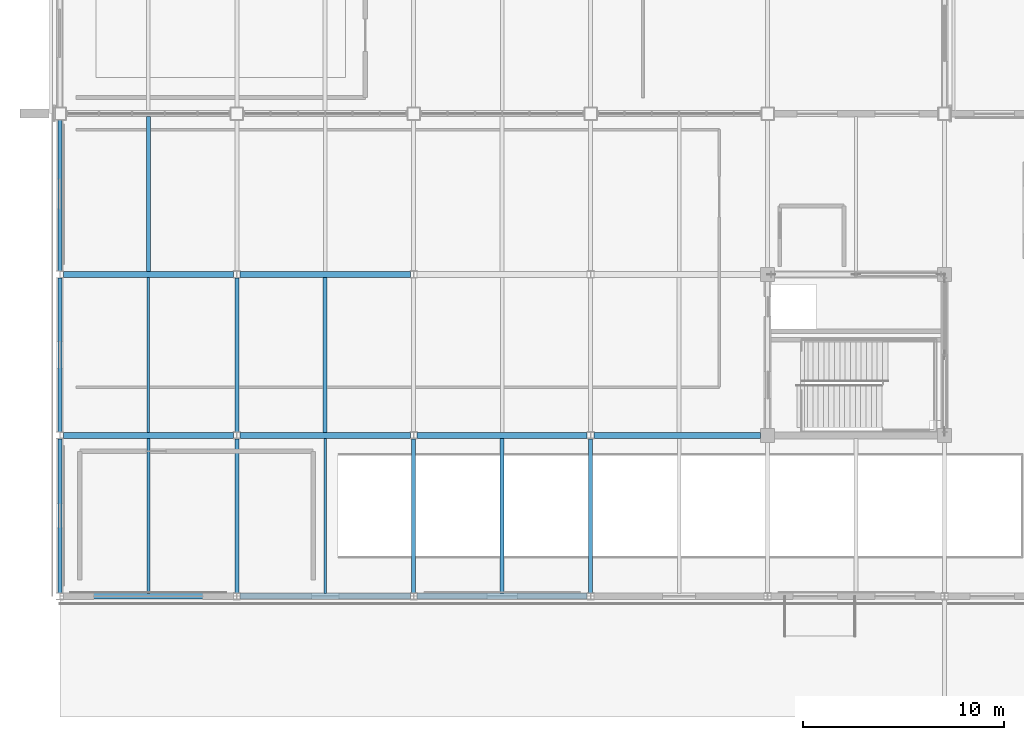
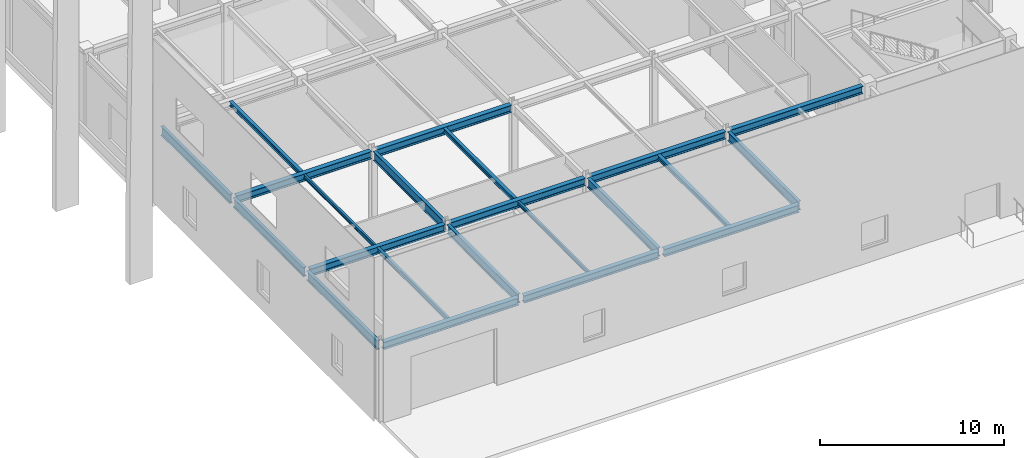
# One storey, part 20 of 119: 22 beams.
"""IFC4 building model written with IfcOpenShell, lengths in metres."""

import ifcopenshell
import ifcopenshell.guid

model = None  # the IFC model being written
_history = None  # IfcOwnerHistory: only IFC2X3 demands one
_inside = {}  # id of a spatial element -> (the spatial element, [elements in it])
_under = {}  # id of a project, library or spatial element -> (it, [spatial elements below it])
_declared = {}  # id of a project -> (the project, [libraries it declares])
_typed = {}  # id of a type object -> (the type object, [elements of that type])
_made_of = {}  # id of a material, layer set ... -> (it, [elements and type objects made of it])


def new_model(schema):
    """Start an empty IFC model of exactly this schema.

    Asked for "IFC4X3", IfcOpenShell would pick the latest addendum, in which some entities
    have other attributes; the version numbers below select the first issue.
    IFC2X3 requires an IfcOwnerHistory on every rooted entity: one is made here for all.
    """
    global model, _history
    if schema == "IFC4X3":
        model = ifcopenshell.file(schema_version=(4, 3, 0, 0))
    else:
        model = ifcopenshell.file(schema=schema)
    _inside.clear()
    _under.clear()
    _declared.clear()
    _typed.clear()
    _made_of.clear()
    _history = None
    if model.schema == "IFC2X3":
        org = make("IfcOrganization", Name="unknown")
        user = make(
            "IfcPersonAndOrganization",
            ThePerson=make("IfcPerson", FamilyName="unknown"),
            TheOrganization=org,
        )
        app = make(
            "IfcApplication",
            ApplicationDeveloper=org,
            Version="unknown",
            ApplicationFullName="unknown",
            ApplicationIdentifier="unknown",
        )
        _history = make(
            "IfcOwnerHistory",
            OwningUser=user,
            OwningApplication=app,
            ChangeAction="ADDED",
            CreationDate=0,
        )
    return model


def make(cls, **values):
    """One entity of the class cls with the attributes given. An attribute that is None is left unset."""
    return model.create_entity(
        cls, **{name: value for name, value in values.items() if value is not None}
    )


def rooted(cls, **values):
    """An entity with a GlobalId (a new one), such as an element, a storey or a relation."""
    return make(cls, GlobalId=ifcopenshell.guid.new(), OwnerHistory=_history, **values)


def si_unit(unit_type, name, prefix=None):
    """IfcSIUnit, for example si_unit("LENGTHUNIT", "METRE", prefix="MILLI")."""
    return make("IfcSIUnit", UnitType=unit_type, Prefix=prefix, Name=name)


def assignment(units):
    """IfcUnitAssignment: the units of a project."""
    return None if units is None else make("IfcUnitAssignment", Units=units)


def point(xyz):
    """IfcCartesianPoint."""
    return None if xyz is None else make("IfcCartesianPoint", Coordinates=xyz)


def direction(xyz):
    """IfcDirection."""
    return None if xyz is None else make("IfcDirection", DirectionRatios=xyz)


def frame(location, z_axis=None, x_axis=None):
    """IfcAxis2Placement3D, a coordinate frame: its origin and axes. An axis left out is left unset."""
    return make(
        "IfcAxis2Placement3D",
        Location=point(location),
        Axis=direction(z_axis),
        RefDirection=direction(x_axis),
    )


def frame_2d(location, x_axis=None):
    """IfcAxis2Placement2D, a coordinate frame in the plane: its origin and x axis."""
    return make(
        "IfcAxis2Placement2D", Location=point(location), RefDirection=direction(x_axis)
    )


def origin():
    """The frame at (0, 0, 0) with its axes left unset."""
    return frame((0.0, 0.0, 0.0))


def origin_2d():
    """The frame at (0, 0) in the plane with its x axis left unset."""
    return frame_2d((0.0, 0.0))


def place(relative_to, where):
    """IfcLocalPlacement: puts the frame where relative to a parent placement (None: the world)."""
    return make(
        "IfcLocalPlacement", PlacementRelTo=relative_to, RelativePlacement=where
    )


def context(
    kind, dimensions, precision=None, world=None, true_north=None, identifier=None
):
    """IfcGeometricRepresentationContext, for example the 3D "Model" context."""
    return make(
        "IfcGeometricRepresentationContext",
        ContextIdentifier=identifier,
        ContextType=kind,
        CoordinateSpaceDimension=dimensions,
        Precision=precision,
        WorldCoordinateSystem=world,
        TrueNorth=true_north,
    )


def subcontext(parent, identifier, kind, view, scale=None):
    """IfcGeometricRepresentationSubContext, for example "Body" below "Model"."""
    return make(
        "IfcGeometricRepresentationSubContext",
        ContextIdentifier=identifier,
        ContextType=kind,
        ParentContext=parent,
        TargetScale=scale,
        TargetView=view,
    )


def project(units=None, contexts=None):
    """IfcProject with its units and contexts."""
    return rooted(
        "IfcProject",
        Name="project",
        RepresentationContexts=contexts,
        UnitsInContext=assignment(units),
    )


def spatial(cls, under=None, at=None, **own):
    """A site, building, storey or space (cls), placed at a placement, below another one or the project."""
    s = rooted(cls, ObjectPlacement=at, **own)
    if under is not None:
        _under.setdefault(under.id(), (under, []))[1].append(s)
    return s


def profile(cls, at=None, kind="AREA", **sizes):
    """A parametric profile (cls). Its sizes go by their IFC names, for example OverallWidth=200.0."""
    return make(cls, ProfileType=kind, Position=at, **sizes)


def i_section(**sizes):
    """IfcIShapeProfileDef."""
    return profile("IfcIShapeProfileDef", **sizes)


def extrude(swept, where, along, depth):
    """IfcExtrudedAreaSolid: the profile swept, set in the frame where, extruded along a direction by depth."""
    return make(
        "IfcExtrudedAreaSolid",
        SweptArea=swept,
        Position=where,
        ExtrudedDirection=direction(along),
        Depth=depth,
    )


def shape(context_of_items, identifier, shape_type, items):
    """IfcShapeRepresentation: the items that make up one representation, for example the "Body"."""
    return make(
        "IfcShapeRepresentation",
        ContextOfItems=context_of_items,
        RepresentationIdentifier=identifier,
        RepresentationType=shape_type,
        Items=items,
    )


def material(Name=None, Category=None):
    """IfcMaterial."""
    return make("IfcMaterial", Name=Name, Category=Category)


def material_profile(
    of_material, cross_section, Name=None, Category=None, Priority=None
):
    """IfcMaterialProfile: a cross section and its material."""
    return make(
        "IfcMaterialProfile",
        Name=Name,
        Material=of_material,
        Profile=cross_section,
        Priority=Priority,
        Category=Category,
    )


def profile_set(profiles, Name=None, composite=None):
    """IfcMaterialProfileSet."""
    return make(
        "IfcMaterialProfileSet",
        Name=Name,
        MaterialProfiles=profiles,
        CompositeProfile=composite,
    )


def made_of(thing, what):
    """Note that an element or type object is made of a material, layer set ...; save() writes the relation."""
    if what is not None:
        _made_of.setdefault(what.id(), (what, []))[1].append(thing)
    return thing


def type_object(cls, material=None, **own):
    """A type object (cls), such as IfcWallType, which elements share."""
    return made_of(rooted(cls, **own), material)


def element(
    cls,
    number,
    at=None,
    inside=None,
    cuts=None,
    type_object=None,
    material=None,
    context=None,
    identifier="Body",
    shape_type=None,
    held_by="IfcProductDefinitionShape",
    body=None,
    shapes=None,
    **own,
):
    """One element of the class cls, such as IfcWall. Its Tag is "e" and its number.

    at: its placement. inside: the storey or other place that contains it. cuts: it is an
    opening in that element (IfcRelVoidsElement). A single representation is given by context,
    identifier, shape_type and body (its items); several are given by shapes. held_by: the class
    of the entity that holds the representations. save() writes the other relations.
    """
    e = rooted(cls, Tag="e%d" % number, ObjectPlacement=at, **own)
    if body is not None:
        shapes = [shape(context, identifier, shape_type, body)]
    if shapes is not None:
        e.Representation = make(held_by, Representations=shapes)
    if inside is not None:
        _inside.setdefault(inside.id(), (inside, []))[1].append(e)
    if cuts is not None:
        rooted(
            "IfcRelVoidsElement", RelatingBuildingElement=cuts, RelatedOpeningElement=e
        )
    if type_object is not None:
        _typed.setdefault(type_object.id(), (type_object, []))[1].append(e)
    return made_of(e, material)


def aggregate(whole, parts):
    """IfcRelAggregates: a whole, such as a stair, and the parts it consists of."""
    return rooted("IfcRelAggregates", RelatingObject=whole, RelatedObjects=parts)


def save(model, path):
    """Write the relations noted so far, then the file.

    IfcRelAggregates (storeys below a building ...), IfcRelContainedInSpatialStructure (elements
    in a storey), IfcRelDefinesByType, IfcRelAssociatesMaterial and IfcRelDeclares: one each for
    every whole, place, type object, material and project.
    """
    for whole, parts in _under.values():
        aggregate(whole, parts)
    for where, things in _inside.values():
        rooted(
            "IfcRelContainedInSpatialStructure",
            RelatedElements=things,
            RelatingStructure=where,
        )
    for kind, things in _typed.values():
        rooted("IfcRelDefinesByType", RelatedObjects=things, RelatingType=kind)
    for what, things in _made_of.values():
        rooted("IfcRelAssociatesMaterial", RelatedObjects=things, RelatingMaterial=what)
    for by, libraries in _declared.values():
        rooted("IfcRelDeclares", RelatingContext=by, RelatedDefinitions=libraries)
    model.write(path)


model = new_model("IFC4")

# Units and contexts
model_context = context("Model", 3, precision=1e-05, world=origin(), true_north=direction((0.0, 1.0)))
body_context = subcontext(model_context, "Body", "Model", "MODEL_VIEW")
ifc_project = project(units=[si_unit("LENGTHUNIT", "METRE"), si_unit("AREAUNIT", "SQUARE_METRE"), si_unit("VOLUMEUNIT", "CUBIC_METRE"), si_unit("PLANEANGLEUNIT", "RADIAN"), si_unit("MASSUNIT", "GRAM", prefix="KILO")], contexts=[model_context])

# Site, building, storey
site_placement = place(None, origin())
site = spatial("IfcSite", under=ifc_project, at=site_placement, CompositionType="ELEMENT")
building_placement = place(site_placement, origin())
building = spatial("IfcBuilding", under=site, at=building_placement, Name="Zhaolan Boulevard Law Courts", CompositionType="ELEMENT")
storey_placement = place(building_placement, origin())
storey = spatial("IfcBuildingStorey", under=building, at=storey_placement, Name="L00", CompositionType="ELEMENT", Elevation=0.0)

# Beams
ifc_material_1 = material(Name="Structural steel Q355B", Category="steel")
ifc_material_profile_1 = material_profile(ifc_material_1, i_section(OverallWidth=0.300048828125, OverallDepth=0.488037109375, WebThickness=0.010986328125, FlangeThickness=0.01806640625, FilletRadius=0.02197265625, at=origin_2d()), Name="HM488x300")
ifc_profile_set_1 = profile_set([ifc_material_profile_1], Name="Structural steel Q355B")
beam_type_1 = type_object("IfcBeamType", Name="GIRDER HM500", PredefinedType="BEAM", material=ifc_profile_set_1)
for number, where, z_axis, x_axis, name in (
    (1, (0.1708984375, 6.0, 4.89404296875), (1.0, 0.0, 0.0), (0.0, 1.0, 0.0), "Beam BX-L01-1-2-B"),
    (2, (8.970947265625, 6.0, 4.89404296875), (1.0, 0.0, 0.0), (0.0, 1.0, 0.0), "Beam BX-L01-2-3-B"),
    (3, (17.77099609375, 6.0, 4.89404296875), (1.0, 0.0, 0.0), (0.0, 1.0, 0.0), "Beam BX-L01-3-4-B"),
    (4, (0.1708984375, 14.0, 4.89404296875), (1.0, 0.0, 0.0), (0.0, 1.0, 0.0), "Beam BX-L01-1-2-C"),
    (5, (8.970947265625, 14.0, 4.89404296875), (1.0, 0.0, 0.0), (0.0, 1.0, 0.0), "Beam BX-L01-2-3-C"),
    (6, (17.77099609375, 14.0, 4.89404296875), (1.0, 0.0, 0.0), (0.0, 1.0, 0.0), "Beam BX-L01-3-4-C"),
):
    element("IfcBeam", number, at=place(storey_placement, frame(where, z_axis=z_axis, x_axis=x_axis)), inside=storey, type_object=beam_type_1, Name=name, PredefinedType="BEAM", context=body_context, shape_type="SweptSolid", body=[
        extrude(i_section(OverallWidth=0.300048828125, OverallDepth=0.488037109375, WebThickness=0.010986328125, FlangeThickness=0.01806640625, FilletRadius=0.02197265625, at=origin_2d()), origin(), (0.0, 0.0, 1.0), 8.4580078125),
    ])
beam_1_placement = place(storey_placement, frame((26.571044921875, 14.0, 4.89404296875), z_axis=(1.0, 0.0, 0.0), x_axis=(0.0, 1.0, 0.0)))
element("IfcBeam", 7, at=beam_1_placement, inside=storey, type_object=beam_type_1, Name="Beam BX-L01-4-5-C", PredefinedType="BEAM", context=body_context, shape_type="SweptSolid", body=[
    extrude(i_section(OverallWidth=0.300048828125, OverallDepth=0.488037109375, WebThickness=0.010986328125, FlangeThickness=0.01806640625, FilletRadius=0.02197265625, at=origin_2d()), origin(), (0.0, 0.0, 1.0), 8.282958984375),
])
for number, where, z_axis, x_axis, name in (
    (8, (0.1708984375, 22.0, 4.89404296875), (1.0, 0.0, 0.0), (0.0, 1.0, 0.0), "Beam BX-L01-1-2-D"),
    (9, (8.970947265625, 22.0, 4.89404296875), (1.0, 0.0, 0.0), (0.0, 1.0, 0.0), "Beam BX-L01-2-3-D"),
):
    element("IfcBeam", number, at=place(storey_placement, frame(where, z_axis=z_axis, x_axis=x_axis)), inside=storey, type_object=beam_type_1, Name=name, PredefinedType="BEAM", context=body_context, shape_type="SweptSolid", body=[
        extrude(i_section(OverallWidth=0.300048828125, OverallDepth=0.488037109375, WebThickness=0.010986328125, FlangeThickness=0.01806640625, FilletRadius=0.02197265625, at=origin_2d()), origin(), (0.0, 0.0, 1.0), 8.4580078125),
    ])
ifc_material_2 = material(Name="Structural steel Q355B", Category="steel")
ifc_material_profile_2 = material_profile(ifc_material_2, i_section(OverallWidth=0.199951171875, OverallDepth=0.60009765625, WebThickness=0.010986328125, FlangeThickness=0.01708984375, FilletRadius=0.02001953125, at=origin_2d()), Name="HN600x200")
ifc_profile_set_2 = profile_set([ifc_material_profile_2], Name="Structural steel Q355B")
beam_type_2 = type_object("IfcBeamType", Name="GIRDER HN600", PredefinedType="BEAM", material=ifc_profile_set_2)
for number, where, z_axis, x_axis, name in (
    (10, (0.0, 6.1708984375, 4.837890625), (0.0, 1.0, 0.0), (-1.0, 0.0, 0.0), "Beam BY-L01-1-B-C"),
    (11, (0.0, 14.1708984375, 4.837890625), (0.0, 1.0, 0.0), (-1.0, 0.0, 0.0), "Beam BY-L01-1-C-D"),
):
    element("IfcBeam", number, at=place(storey_placement, frame(where, z_axis=z_axis, x_axis=x_axis)), inside=storey, type_object=beam_type_2, Name=name, PredefinedType="BEAM", context=body_context, shape_type="SweptSolid", body=[
        extrude(i_section(OverallWidth=0.199951171875, OverallDepth=0.60009765625, WebThickness=0.010986328125, FlangeThickness=0.01708984375, FilletRadius=0.02001953125, at=origin_2d()), origin(), (0.0, 0.0, 1.0), 7.658203125),
    ])
beam_2_placement = place(storey_placement, frame((0.0, 22.1708984375, 4.837890625), z_axis=(0.0, 1.0, 0.0), x_axis=(-1.0, 0.0, 0.0)))
element("IfcBeam", 12, at=beam_2_placement, inside=storey, type_object=beam_type_2, Name="Beam BY-L01-1-D-E", PredefinedType="BEAM", context=body_context, shape_type="SweptSolid", body=[
    extrude(i_section(OverallWidth=0.199951171875, OverallDepth=0.60009765625, WebThickness=0.010986328125, FlangeThickness=0.01708984375, FilletRadius=0.02001953125, at=origin_2d()), origin(), (0.0, 0.0, 1.0), 7.508056640625),
])
for number, where, z_axis, x_axis, name in (
    (13, (8.800048828125, 6.1708984375, 4.837890625), (0.0, 1.0, 0.0), (-1.0, 0.0, 0.0), "Beam BY-L01-2-B-C"),
    (14, (8.800048828125, 14.1708984375, 4.837890625), (0.0, 1.0, 0.0), (-1.0, 0.0, 0.0), "Beam BY-L01-2-C-D"),
    (15, (17.60009765625, 6.1708984375, 4.837890625), (0.0, 1.0, 0.0), (-1.0, 0.0, 0.0), "Beam BY-L01-3-B-C"),
    (16, (26.39990234375, 6.1708984375, 4.837890625), (0.0, 1.0, 0.0), (-1.0, 0.0, 0.0), "Beam BY-L01-4-B-C"),
):
    element("IfcBeam", number, at=place(storey_placement, frame(where, z_axis=z_axis, x_axis=x_axis)), inside=storey, type_object=beam_type_2, Name=name, PredefinedType="BEAM", context=body_context, shape_type="SweptSolid", body=[
        extrude(i_section(OverallWidth=0.199951171875, OverallDepth=0.60009765625, WebThickness=0.010986328125, FlangeThickness=0.01708984375, FilletRadius=0.02001953125, at=origin_2d()), origin(), (0.0, 0.0, 1.0), 7.658203125),
    ])
ifc_material_3 = material(Name="Structural steel Q355B", Category="steel")
ifc_material_profile_3 = material_profile(ifc_material_3, i_section(OverallWidth=0.199951171875, OverallDepth=0.2939453125, WebThickness=0.008056640625, FlangeThickness=0.011962890625, FilletRadius=0.01611328125, at=origin_2d()), Name="HM294x200")
ifc_profile_set_3 = profile_set([ifc_material_profile_3], Name="Structural steel Q355B")
beam_type_3 = type_object("IfcBeamType", Name="JOIST HM294", PredefinedType="JOIST", material=ifc_profile_set_3)
for number, where, z_axis, x_axis, name in (
    (17, (4.39990234375, 22.14599609375, 4.990966796875), (0.0, 1.0, 0.0), (-1.0, 0.0, 0.0), "Composite Joist J-L01-1D"),
    (18, (13.199951171875, 14.14599609375, 4.990966796875), (0.0, 1.0, 0.0), (-1.0, 0.0, 0.0), "Composite Joist J-L01-2C"),
    (19, (22.0, 6.14599609375, 4.990966796875), (0.0, 1.0, 0.0), (-1.0, 0.0, 0.0), "Composite Joist J-L01-3B"),
):
    element("IfcBeam", number, at=place(storey_placement, frame(where, z_axis=z_axis, x_axis=x_axis)), inside=storey, type_object=beam_type_3, Name=name, PredefinedType="JOIST", context=body_context, shape_type="SweptSolid", body=[
        extrude(i_section(OverallWidth=0.199951171875, OverallDepth=0.2939453125, WebThickness=0.008056640625, FlangeThickness=0.011962890625, FilletRadius=0.01611328125, at=origin_2d()), origin(), (0.0, 0.0, 1.0), 7.7080078125),
    ])
ifc_material_4 = material(Name="Structural steel Q355B", Category="steel")
ifc_material_profile_4 = material_profile(ifc_material_4, i_section(OverallWidth=0.125, OverallDepth=0.25, WebThickness=0.006103515625, FlangeThickness=0.009033203125, FilletRadius=0.010009765625, at=origin_2d()), Name="HN250x125")
ifc_profile_set_4 = profile_set([ifc_material_profile_4], Name="Structural steel Q355B")
beam_type_4 = type_object("IfcBeamType", Name="JOIST HN250", PredefinedType="JOIST", material=ifc_profile_set_4)
for number, where, z_axis, x_axis, name in (
    (20, (4.39990234375, 14.14599609375, 5.012939453125), (0.0, 1.0, 0.0), (-1.0, 0.0, 0.0), "Composite Joist J-L01-1C"),
    (21, (13.199951171875, 6.14599609375, 5.012939453125), (0.0, 1.0, 0.0), (-1.0, 0.0, 0.0), "Composite Joist J-L01-2B"),
):
    element("IfcBeam", number, at=place(storey_placement, frame(where, z_axis=z_axis, x_axis=x_axis)), inside=storey, type_object=beam_type_4, Name=name, PredefinedType="JOIST", context=body_context, shape_type="SweptSolid", body=[
        extrude(i_section(OverallWidth=0.125, OverallDepth=0.25, WebThickness=0.006103515625, FlangeThickness=0.009033203125, FilletRadius=0.010009765625, at=origin_2d()), origin(), (0.0, 0.0, 1.0), 7.7080078125),
    ])
ifc_material_5 = material(Name="Structural steel Q355B", Category="steel")
ifc_material_profile_5 = material_profile(ifc_material_5, i_section(OverallWidth=0.14990234375, OverallDepth=0.300048828125, WebThickness=0.006591796875, FlangeThickness=0.009033203125, FilletRadius=0.010986328125, at=origin_2d()), Name="HN300x150")
ifc_profile_set_5 = profile_set([ifc_material_profile_5], Name="Structural steel Q355B")
beam_type_5 = type_object("IfcBeamType", Name="JOIST HN300", PredefinedType="JOIST", material=ifc_profile_set_5)
beam_3_placement = place(storey_placement, frame((4.39990234375, 6.14599609375, 4.988037109375), z_axis=(0.0, 1.0, 0.0), x_axis=(-1.0, 0.0, 0.0)))
element("IfcBeam", 22, at=beam_3_placement, inside=storey, type_object=beam_type_5, Name="Composite Joist J-L01-1B", PredefinedType="JOIST", context=body_context, shape_type="SweptSolid", body=[
    extrude(i_section(OverallWidth=0.14990234375, OverallDepth=0.300048828125, WebThickness=0.006591796875, FlangeThickness=0.009033203125, FilletRadius=0.010986328125, at=origin_2d()), origin(), (0.0, 0.0, 1.0), 7.7080078125),
])

save(model, "model.ifc")
